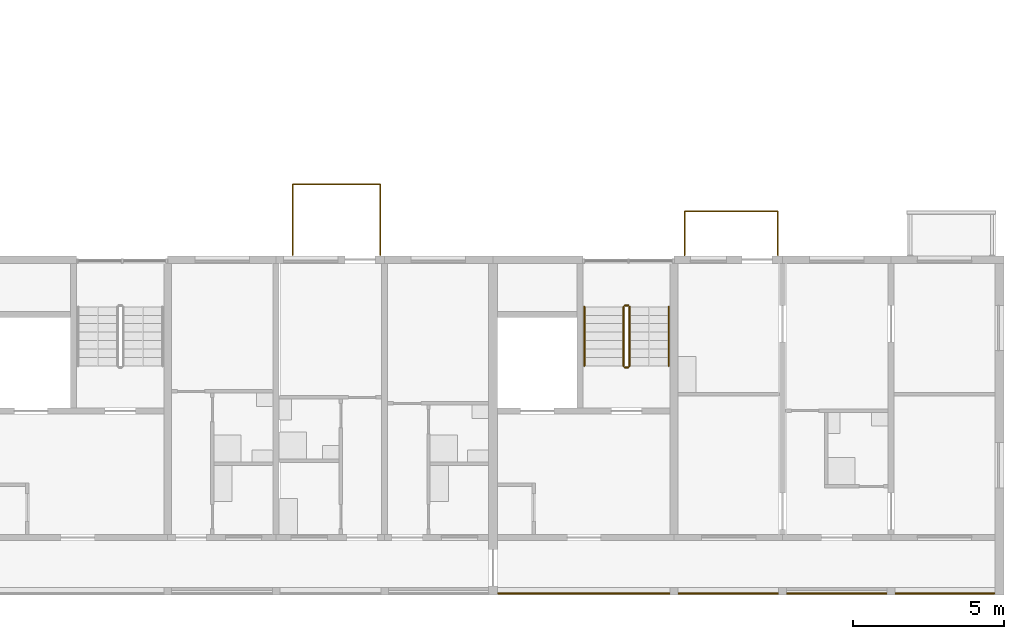
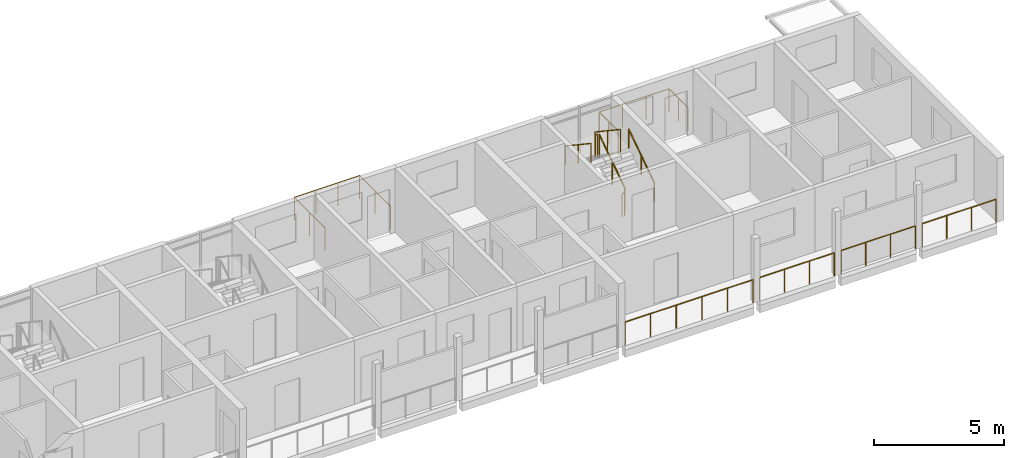
# One storey, part 87 of 93: 12 railings.
"""IFC4 building model written with IfcOpenShell, lengths in metres."""

from ifc_helpers import new_model, si_unit, direction, frame, origin, origin_2d, place, context, subcontext, project, spatial, circle, extrude, material, type_object, element, save


model = new_model("IFC4")

# Units and contexts
model_context = context("Model", 3, precision=1e-05, world=origin(), true_north=direction((0.0, 1.0)))
body_context = subcontext(model_context, "Body", "Model", "MODEL_VIEW")
ifc_project = project(units=[si_unit("LENGTHUNIT", "METRE"), si_unit("AREAUNIT", "SQUARE_METRE"), si_unit("VOLUMEUNIT", "CUBIC_METRE"), si_unit("PLANEANGLEUNIT", "RADIAN"), si_unit("MASSUNIT", "GRAM", prefix="KILO")], contexts=[model_context])

# Site, building, storey
site_placement = place(None, origin())
site = spatial("IfcSite", under=ifc_project, at=site_placement, CompositionType="ELEMENT")
building_placement = place(site_placement, origin())
building = spatial("IfcBuilding", under=site, at=building_placement, Name="Ridgestep Commons", CompositionType="ELEMENT")
storey_placement = place(building_placement, frame((0.0, 0.0, 18.0)))
storey = spatial("IfcBuildingStorey", under=building, at=storey_placement, Name="L06", CompositionType="ELEMENT", Elevation=18.0)

# Railings
ifc_material_1 = material(Name="Structural steel S355JR", Category="steel")
railing_type_1 = type_object("IfcRailingType", Name="Guard 1100", PredefinedType="GUARDRAIL", material=ifc_material_1)
railing_1_placement = place(storey_placement, frame((230.970947265625, 11.800048828125, 0.0)))
element("IfcRailing", 1, at=railing_1_placement, inside=storey, type_object=railing_type_1, Name="Gallery guard D 06.21", PredefinedType="GUARDRAIL", context=body_context, shape_type="SweptSolid", body=[
    extrude(circle(Radius=0.02392578125, at=origin_2d()), frame((0.0, 0.0, 1.076171875), z_axis=(1.0, 0.0, 0.0), x_axis=(0.0, 1.0, 0.0)), (0.0, 0.0, 1.0), 5.68310546875),
    extrude(circle(Radius=0.02099609375, at=origin_2d()), origin(), (0.0, 0.0, 1.0), 1.052001953125),
    extrude(circle(Radius=0.02099609375, at=origin_2d()), frame((1.13671875, 0.0, 0.0)), (0.0, 0.0, 1.0), 1.052001953125),
    extrude(circle(Radius=0.02099609375, at=origin_2d()), frame((2.273193359375, 0.0, 0.0)), (0.0, 0.0, 1.0), 1.052001953125),
    extrude(circle(Radius=0.02099609375, at=origin_2d()), frame((3.409912109375, 0.0, 0.0)), (0.0, 0.0, 1.0), 1.052001953125),
    extrude(circle(Radius=0.02099609375, at=origin_2d()), frame((4.54638671875, 0.0, 0.0)), (0.0, 0.0, 1.0), 1.052001953125),
    extrude(circle(Radius=0.02099609375, at=origin_2d()), frame((5.68310546875, 0.0, 0.0)), (0.0, 0.0, 1.0), 1.052001953125),
])
railing_2_placement = place(storey_placement, frame((236.946044921875, 11.800048828125, 0.0)))
element("IfcRailing", 2, at=railing_2_placement, inside=storey, type_object=railing_type_1, Name="Gallery guard D 06.22", PredefinedType="GUARDRAIL", context=body_context, shape_type="SweptSolid", body=[
    extrude(circle(Radius=0.02392578125, at=origin_2d()), frame((0.0, 0.0, 1.076171875), z_axis=(1.0, 0.0, 0.0), x_axis=(0.0, 1.0, 0.0)), (0.0, 0.0, 1.0), 3.307861328125),
    extrude(circle(Radius=0.02099609375, at=origin_2d()), origin(), (0.0, 0.0, 1.0), 1.052001953125),
    extrude(circle(Radius=0.02099609375, at=origin_2d()), frame((1.1025390625, 0.0, 0.0)), (0.0, 0.0, 1.0), 1.052001953125),
    extrude(circle(Radius=0.02099609375, at=origin_2d()), frame((2.205322265625, 0.0, 0.0)), (0.0, 0.0, 1.0), 1.052001953125),
    extrude(circle(Radius=0.02099609375, at=origin_2d()), frame((3.307861328125, 0.0, 0.0)), (0.0, 0.0, 1.0), 1.052001953125),
])
railing_3_placement = place(storey_placement, frame((240.5458984375, 11.800048828125, 0.0)))
element("IfcRailing", 3, at=railing_3_placement, inside=storey, type_object=railing_type_1, Name="Gallery guard D 06.23", PredefinedType="GUARDRAIL", context=body_context, shape_type="SweptSolid", body=[
    extrude(circle(Radius=0.02392578125, at=origin_2d()), frame((0.0, 0.0, 1.076171875), z_axis=(1.0, 0.0, 0.0), x_axis=(0.0, 1.0, 0.0)), (0.0, 0.0, 1.0), 3.30810546875),
    extrude(circle(Radius=0.02099609375, at=origin_2d()), origin(), (0.0, 0.0, 1.0), 1.052001953125),
    extrude(circle(Radius=0.02099609375, at=origin_2d()), frame((1.102783203125, 0.0, 0.0)), (0.0, 0.0, 1.0), 1.052001953125),
    extrude(circle(Radius=0.02099609375, at=origin_2d()), frame((2.205322265625, 0.0, 0.0)), (0.0, 0.0, 1.0), 1.052001953125),
    extrude(circle(Radius=0.02099609375, at=origin_2d()), frame((3.30810546875, 0.0, 0.0)), (0.0, 0.0, 1.0), 1.052001953125),
])
railing_4_placement = place(storey_placement, frame((244.14599609375, 11.800048828125, 0.0)))
element("IfcRailing", 4, at=railing_4_placement, inside=storey, type_object=railing_type_1, Name="Gallery guard D 06.24", PredefinedType="GUARDRAIL", context=body_context, shape_type="SweptSolid", body=[
    extrude(circle(Radius=0.02392578125, at=origin_2d()), frame((0.0, 0.0, 1.076171875), z_axis=(1.0, 0.0, 0.0), x_axis=(0.0, 1.0, 0.0)), (0.0, 0.0, 1.0), 3.282958984375),
    extrude(circle(Radius=0.02099609375, at=origin_2d()), origin(), (0.0, 0.0, 1.0), 1.052001953125),
    extrude(circle(Radius=0.02099609375, at=origin_2d()), frame((1.09423828125, 0.0, 0.0)), (0.0, 0.0, 1.0), 1.052001953125),
    extrude(circle(Radius=0.02099609375, at=origin_2d()), frame((2.188720703125, 0.0, 0.0)), (0.0, 0.0, 1.0), 1.052001953125),
    extrude(circle(Radius=0.02099609375, at=origin_2d()), frame((3.282958984375, 0.0, 0.0)), (0.0, 0.0, 1.0), 1.052001953125),
])
ifc_material_2 = material(Name="Structural steel S355JR", Category="steel")
railing_type_2 = type_object("IfcRailingType", Name="Stair guard 1100", PredefinedType="GUARDRAIL", material=ifc_material_2)
railing_5_placement = place(storey_placement, frame((235.324951171875, 19.35009765625, 0.1875)))
element("IfcRailing", 5, at=railing_5_placement, inside=storey, type_object=railing_type_2, Name="L06 D6C stair guard 1", PredefinedType="GUARDRAIL", context=body_context, shape_type="SweptSolid", body=[
    extrude(circle(Radius=0.02392578125, at=origin_2d()), frame((0.0, 0.0, 1.076171875), z_axis=(0.0, 0.830902050051, 0.556418712142), x_axis=(-1.0, 0.0, 0.0)), (0.0, 0.0, 1.0), 2.35888671875),
    extrude(circle(Radius=0.02099609375, at=origin_2d()), origin(), (0.0, 0.0, 1.0), 1.052001953125),
    extrude(circle(Radius=0.02099609375, at=origin_2d()), frame((0.0, 0.97998046875, 0.65625)), (0.0, 0.0, 1.0), 1.052001953125),
    extrude(circle(Radius=0.02099609375, at=origin_2d()), frame((0.0, 1.9599609375, 1.3125)), (0.0, 0.0, 1.0), 1.052001953125),
])
railing_6_placement = place(storey_placement, frame((235.27490234375, 21.360107421875, 1.5)))
element("IfcRailing", 6, at=railing_6_placement, inside=storey, type_object=railing_type_2, Name="L06 D6C stair guard 2", PredefinedType="GUARDRAIL", context=body_context, shape_type="SweptSolid", body=[
    extrude(circle(Radius=0.02392578125, at=origin_2d()), frame((0.0, 0.0, 1.076171875), z_axis=(-1.0, 0.0, 0.0), x_axis=(0.0, -1.0, 0.0)), (0.0, 0.0, 1.0), 0.099853515625),
    extrude(circle(Radius=0.02099609375, at=origin_2d()), origin(), (0.0, 0.0, 1.0), 1.052001953125),
    extrude(circle(Radius=0.02099609375, at=origin_2d()), frame((-0.099853515625, 0.0, 0.0)), (0.0, 0.0, 1.0), 1.052001953125),
])
railing_7_placement = place(storey_placement, frame((235.125, 21.31005859375, 1.6875)))
element("IfcRailing", 7, at=railing_7_placement, inside=storey, type_object=railing_type_2, Name="L06 D6C stair guard 3", PredefinedType="GUARDRAIL", context=body_context, shape_type="SweptSolid", body=[
    extrude(circle(Radius=0.02392578125, at=origin_2d()), frame((0.0, 0.0, 1.076171875), z_axis=(0.0, -0.830902050051, 0.556418712142), x_axis=(1.0, 0.0, 0.0)), (0.0, 0.0, 1.0), 2.35888671875),
    extrude(circle(Radius=0.02099609375, at=origin_2d()), origin(), (0.0, 0.0, 1.0), 1.052001953125),
    extrude(circle(Radius=0.02099609375, at=origin_2d()), frame((0.0, -0.97998046875, 0.65625)), (0.0, 0.0, 1.0), 1.052001953125),
    extrude(circle(Radius=0.02099609375, at=origin_2d()), frame((0.0, -1.9599609375, 1.3125)), (0.0, 0.0, 1.0), 1.052001953125),
])
railing_8_placement = place(storey_placement, frame((235.27490234375, 19.300048828125, 0.0)))
element("IfcRailing", 8, at=railing_8_placement, inside=storey, type_object=railing_type_2, Name="L06 D6C stair guard 4", PredefinedType="GUARDRAIL", context=body_context, shape_type="SweptSolid", body=[
    extrude(circle(Radius=0.02392578125, at=origin_2d()), frame((0.0, 0.0, 1.076171875), z_axis=(-1.0, 0.0, 0.0), x_axis=(0.0, -1.0, 0.0)), (0.0, 0.0, 1.0), 0.099853515625),
    extrude(circle(Radius=0.02099609375, at=origin_2d()), origin(), (0.0, 0.0, 1.0), 1.052001953125),
    extrude(circle(Radius=0.02099609375, at=origin_2d()), frame((-0.099853515625, 0.0, 0.0)), (0.0, 0.0, 1.0), 1.052001953125),
])
ifc_material_3 = material(Name="Structural steel S355JR", Category="steel")
railing_type_3 = type_object("IfcRailingType", Name="Stair handrail 900", PredefinedType="HANDRAIL", material=ifc_material_3)
railing_9_placement = place(storey_placement, frame((236.625, 19.35009765625, 0.1875)))
element("IfcRailing", 9, at=railing_9_placement, inside=storey, type_object=railing_type_3, Name="L06 D6C stair handrail 1", PredefinedType="HANDRAIL", context=body_context, shape_type="SweptSolid", body=[
    extrude(circle(Radius=0.02392578125, at=origin_2d()), frame((0.0, 0.0, 0.8759765625), z_axis=(0.0, 0.830902050051, 0.556418712142), x_axis=(-1.0, 0.0, 0.0)), (0.0, 0.0, 1.0), 2.35888671875),
    extrude(circle(Radius=0.02099609375, at=origin_2d()), origin(), (0.0, 0.0, 1.0), 0.851806640625),
    extrude(circle(Radius=0.02099609375, at=origin_2d()), frame((0.0, 0.97998046875, 0.65625)), (0.0, 0.0, 1.0), 0.851806640625),
    extrude(circle(Radius=0.02099609375, at=origin_2d()), frame((0.0, 1.9599609375, 1.3125)), (0.0, 0.0, 1.0), 0.851806640625),
])
railing_10_placement = place(storey_placement, frame((233.824951171875, 21.31005859375, 1.6875)))
element("IfcRailing", 10, at=railing_10_placement, inside=storey, type_object=railing_type_3, Name="L06 D6C stair handrail 2", PredefinedType="HANDRAIL", context=body_context, shape_type="SweptSolid", body=[
    extrude(circle(Radius=0.02392578125, at=origin_2d()), frame((0.0, 0.0, 0.8759765625), z_axis=(0.0, -0.830902050051, 0.556418712142), x_axis=(1.0, 0.0, 0.0)), (0.0, 0.0, 1.0), 2.35888671875),
    extrude(circle(Radius=0.02099609375, at=origin_2d()), origin(), (0.0, 0.0, 1.0), 0.851806640625),
    extrude(circle(Radius=0.02099609375, at=origin_2d()), frame((0.0, -0.97998046875, 0.65625)), (0.0, 0.0, 1.0), 0.851806640625),
    extrude(circle(Radius=0.02099609375, at=origin_2d()), frame((0.0, -1.9599609375, 1.3125)), (0.0, 0.0, 1.0), 0.851806640625),
])
ifc_material_4 = material(Name="Weathering steel S355J2W", Category="steel")
railing_type_4 = type_object("IfcRailingType", Name="Tray guard 1100", PredefinedType="GUARDRAIL", material=ifc_material_4)
railing_11_placement = place(storey_placement, frame((224.15087890625, 23.02099609375, 0.0)))
element("IfcRailing", 11, at=railing_11_placement, inside=storey, type_object=railing_type_4, Name="Tray guard D5T2-06", PredefinedType="GUARDRAIL", context=body_context, shape_type="SweptSolid", body=[
    extrude(circle(Radius=0.02392578125, at=origin_2d()), frame((0.0, 0.0, 1.076171875), z_axis=(0.0, 1.0, 0.0), x_axis=(-1.0, 0.0, 0.0)), (0.0, 0.0, 1.0), 2.35791015625),
    extrude(circle(Radius=0.02392578125, at=origin_2d()), frame((0.0, 2.35791015625, 1.076171875), z_axis=(1.0, 0.0, 0.0), x_axis=(0.0, 1.0, 0.0)), (0.0, 0.0, 1.0), 2.898193359375),
    extrude(circle(Radius=0.02392578125, at=origin_2d()), frame((2.898193359375, 2.35791015625, 1.076171875), z_axis=(0.0, -1.0, 0.0), x_axis=(1.0, 0.0, 0.0)), (0.0, 0.0, 1.0), 2.35791015625),
    extrude(circle(Radius=0.02099609375, at=origin_2d()), origin(), (0.0, 0.0, 1.0), 1.052001953125),
    extrude(circle(Radius=0.02099609375, at=origin_2d()), frame((0.0, 1.178955078125, 0.0)), (0.0, 0.0, 1.0), 1.052001953125),
    extrude(circle(Radius=0.02099609375, at=origin_2d()), frame((0.0, 2.35791015625, 0.0)), (0.0, 0.0, 1.0), 1.052001953125),
    extrude(circle(Radius=0.02099609375, at=origin_2d()), frame((0.966064453125, 2.35791015625, 0.0)), (0.0, 0.0, 1.0), 1.052001953125),
    extrude(circle(Radius=0.02099609375, at=origin_2d()), frame((1.93212890625, 2.35791015625, 0.0)), (0.0, 0.0, 1.0), 1.052001953125),
    extrude(circle(Radius=0.02099609375, at=origin_2d()), frame((2.898193359375, 2.35791015625, 0.0)), (0.0, 0.0, 1.0), 1.052001953125),
    extrude(circle(Radius=0.02099609375, at=origin_2d()), frame((2.898193359375, 1.178955078125, 0.0)), (0.0, 0.0, 1.0), 1.052001953125),
    extrude(circle(Radius=0.02099609375, at=origin_2d()), frame((2.898193359375, 0.0, 0.0)), (0.0, 0.0, 1.0), 1.052001953125),
])
railing_12_placement = place(storey_placement, frame((237.15087890625, 23.02099609375, 0.0)))
element("IfcRailing", 12, at=railing_12_placement, inside=storey, type_object=railing_type_4, Name="Tray guard D6T3-06", PredefinedType="GUARDRAIL", context=body_context, shape_type="SweptSolid", body=[
    extrude(circle(Radius=0.02392578125, at=origin_2d()), frame((0.0, 0.0, 1.076171875), z_axis=(0.0, 1.0, 0.0), x_axis=(-1.0, 0.0, 0.0)), (0.0, 0.0, 1.0), 1.4580078125),
    extrude(circle(Radius=0.02392578125, at=origin_2d()), frame((0.0, 1.4580078125, 1.076171875), z_axis=(1.0, 0.0, 0.0), x_axis=(0.0, 1.0, 0.0)), (0.0, 0.0, 1.0), 3.09814453125),
    extrude(circle(Radius=0.02392578125, at=origin_2d()), frame((3.09814453125, 1.4580078125, 1.076171875), z_axis=(0.0, -1.0, 0.0), x_axis=(1.0, 0.0, 0.0)), (0.0, 0.0, 1.0), 1.4580078125),
    extrude(circle(Radius=0.02099609375, at=origin_2d()), origin(), (0.0, 0.0, 1.0), 1.052001953125),
    extrude(circle(Radius=0.02099609375, at=origin_2d()), frame((0.0, 0.72900390625, 0.0)), (0.0, 0.0, 1.0), 1.052001953125),
    extrude(circle(Radius=0.02099609375, at=origin_2d()), frame((0.0, 1.4580078125, 0.0)), (0.0, 0.0, 1.0), 1.052001953125),
    extrude(circle(Radius=0.02099609375, at=origin_2d()), frame((1.03271484375, 1.4580078125, 0.0)), (0.0, 0.0, 1.0), 1.052001953125),
    extrude(circle(Radius=0.02099609375, at=origin_2d()), frame((2.0654296875, 1.4580078125, 0.0)), (0.0, 0.0, 1.0), 1.052001953125),
    extrude(circle(Radius=0.02099609375, at=origin_2d()), frame((3.09814453125, 1.4580078125, 0.0)), (0.0, 0.0, 1.0), 1.052001953125),
    extrude(circle(Radius=0.02099609375, at=origin_2d()), frame((3.09814453125, 0.72900390625, 0.0)), (0.0, 0.0, 1.0), 1.052001953125),
    extrude(circle(Radius=0.02099609375, at=origin_2d()), frame((3.09814453125, 0.0, 0.0)), (0.0, 0.0, 1.0), 1.052001953125),
])

save(model, "model.ifc")
